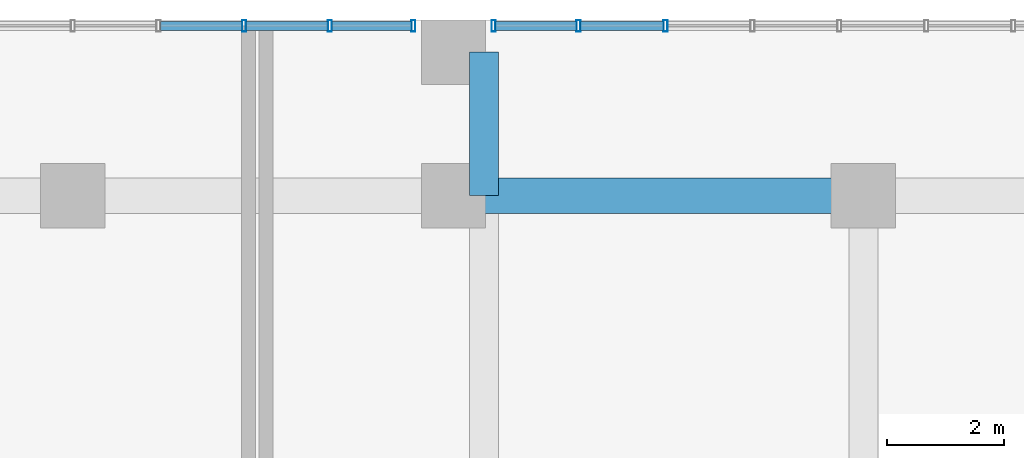
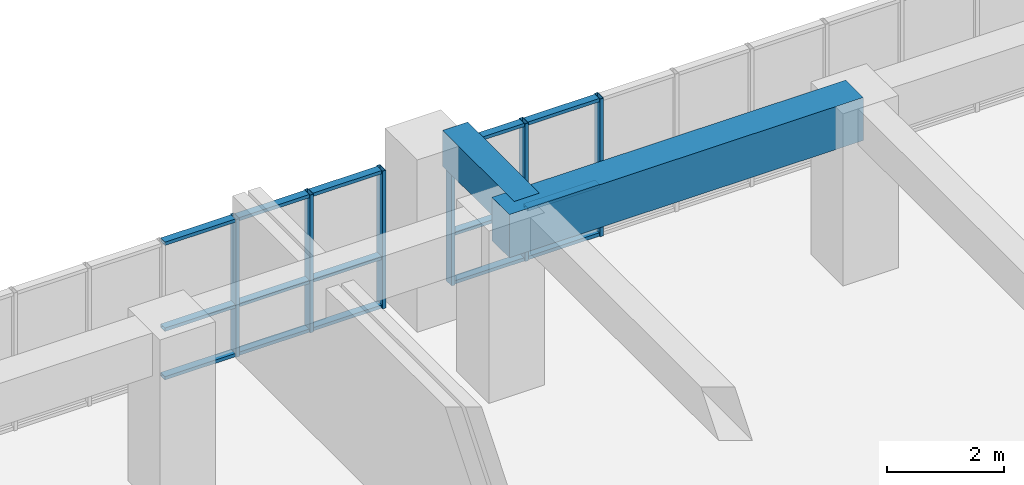
# One storey, part 13 of 30: 21 members, 2 beams, 2 elements without a shape of their own.
"""IFC4 building model written with IfcOpenShell, lengths in metres."""

import ifcopenshell
import ifcopenshell.guid

model = None  # the IFC model being written
_history = None  # IfcOwnerHistory: only IFC2X3 demands one
_inside = {}  # id of a spatial element -> (the spatial element, [elements in it])
_under = {}  # id of a project, library or spatial element -> (it, [spatial elements below it])
_declared = {}  # id of a project -> (the project, [libraries it declares])
_typed = {}  # id of a type object -> (the type object, [elements of that type])
_made_of = {}  # id of a material, layer set ... -> (it, [elements and type objects made of it])


def new_model(schema):
    """Start an empty IFC model of exactly this schema.

    Asked for "IFC4X3", IfcOpenShell would pick the latest addendum, in which some entities
    have other attributes; the version numbers below select the first issue.
    IFC2X3 requires an IfcOwnerHistory on every rooted entity: one is made here for all.
    """
    global model, _history
    if schema == "IFC4X3":
        model = ifcopenshell.file(schema_version=(4, 3, 0, 0))
    else:
        model = ifcopenshell.file(schema=schema)
    _inside.clear()
    _under.clear()
    _declared.clear()
    _typed.clear()
    _made_of.clear()
    _history = None
    if model.schema == "IFC2X3":
        org = make("IfcOrganization", Name="unknown")
        user = make(
            "IfcPersonAndOrganization",
            ThePerson=make("IfcPerson", FamilyName="unknown"),
            TheOrganization=org,
        )
        app = make(
            "IfcApplication",
            ApplicationDeveloper=org,
            Version="unknown",
            ApplicationFullName="unknown",
            ApplicationIdentifier="unknown",
        )
        _history = make(
            "IfcOwnerHistory",
            OwningUser=user,
            OwningApplication=app,
            ChangeAction="ADDED",
            CreationDate=0,
        )
    return model


def make(cls, **values):
    """One entity of the class cls with the attributes given. An attribute that is None is left unset."""
    return model.create_entity(
        cls, **{name: value for name, value in values.items() if value is not None}
    )


def rooted(cls, **values):
    """An entity with a GlobalId (a new one), such as an element, a storey or a relation."""
    return make(cls, GlobalId=ifcopenshell.guid.new(), OwnerHistory=_history, **values)


def si_unit(unit_type, name, prefix=None):
    """IfcSIUnit, for example si_unit("LENGTHUNIT", "METRE", prefix="MILLI")."""
    return make("IfcSIUnit", UnitType=unit_type, Prefix=prefix, Name=name)


def assignment(units):
    """IfcUnitAssignment: the units of a project."""
    return None if units is None else make("IfcUnitAssignment", Units=units)


def point(xyz):
    """IfcCartesianPoint."""
    return None if xyz is None else make("IfcCartesianPoint", Coordinates=xyz)


def direction(xyz):
    """IfcDirection."""
    return None if xyz is None else make("IfcDirection", DirectionRatios=xyz)


def frame(location, z_axis=None, x_axis=None):
    """IfcAxis2Placement3D, a coordinate frame: its origin and axes. An axis left out is left unset."""
    return make(
        "IfcAxis2Placement3D",
        Location=point(location),
        Axis=direction(z_axis),
        RefDirection=direction(x_axis),
    )


def frame_2d(location, x_axis=None):
    """IfcAxis2Placement2D, a coordinate frame in the plane: its origin and x axis."""
    return make(
        "IfcAxis2Placement2D", Location=point(location), RefDirection=direction(x_axis)
    )


def origin():
    """The frame at (0, 0, 0) with its axes left unset."""
    return frame((0.0, 0.0, 0.0))


def origin_2d():
    """The frame at (0, 0) in the plane with its x axis left unset."""
    return frame_2d((0.0, 0.0))


def place(relative_to, where):
    """IfcLocalPlacement: puts the frame where relative to a parent placement (None: the world)."""
    return make(
        "IfcLocalPlacement", PlacementRelTo=relative_to, RelativePlacement=where
    )


def context(
    kind, dimensions, precision=None, world=None, true_north=None, identifier=None
):
    """IfcGeometricRepresentationContext, for example the 3D "Model" context."""
    return make(
        "IfcGeometricRepresentationContext",
        ContextIdentifier=identifier,
        ContextType=kind,
        CoordinateSpaceDimension=dimensions,
        Precision=precision,
        WorldCoordinateSystem=world,
        TrueNorth=true_north,
    )


def subcontext(parent, identifier, kind, view, scale=None):
    """IfcGeometricRepresentationSubContext, for example "Body" below "Model"."""
    return make(
        "IfcGeometricRepresentationSubContext",
        ContextIdentifier=identifier,
        ContextType=kind,
        ParentContext=parent,
        TargetScale=scale,
        TargetView=view,
    )


def project(units=None, contexts=None):
    """IfcProject with its units and contexts."""
    return rooted(
        "IfcProject",
        Name="project",
        RepresentationContexts=contexts,
        UnitsInContext=assignment(units),
    )


def spatial(cls, under=None, at=None, **own):
    """A site, building, storey or space (cls), placed at a placement, below another one or the project."""
    s = rooted(cls, ObjectPlacement=at, **own)
    if under is not None:
        _under.setdefault(under.id(), (under, []))[1].append(s)
    return s


def profile(cls, at=None, kind="AREA", **sizes):
    """A parametric profile (cls). Its sizes go by their IFC names, for example OverallWidth=200.0."""
    return make(cls, ProfileType=kind, Position=at, **sizes)


def rectangle(**sizes):
    """IfcRectangleProfileDef."""
    return profile("IfcRectangleProfileDef", **sizes)


def hollow_rectangle(**sizes):
    """IfcRectangleHollowProfileDef."""
    return profile("IfcRectangleHollowProfileDef", **sizes)


def extrude(swept, where, along, depth):
    """IfcExtrudedAreaSolid: the profile swept, set in the frame where, extruded along a direction by depth."""
    return make(
        "IfcExtrudedAreaSolid",
        SweptArea=swept,
        Position=where,
        ExtrudedDirection=direction(along),
        Depth=depth,
    )


def shape(context_of_items, identifier, shape_type, items):
    """IfcShapeRepresentation: the items that make up one representation, for example the "Body"."""
    return make(
        "IfcShapeRepresentation",
        ContextOfItems=context_of_items,
        RepresentationIdentifier=identifier,
        RepresentationType=shape_type,
        Items=items,
    )


def source(mapping_origin, context_of_items, identifier, shape_type, items):
    """IfcRepresentationMap: a shape defined once, which mapped items show again and again."""
    return make(
        "IfcRepresentationMap",
        MappingOrigin=mapping_origin,
        MappedRepresentation=shape(context_of_items, identifier, shape_type, items),
    )


def transform(
    local_origin,
    x_axis=None,
    y_axis=None,
    z_axis=None,
    scale=None,
    scale2=None,
    scale3=None,
    uniform=True,
):
    """IfcCartesianTransformationOperator3D, or its non-uniform kind. x_axis, y_axis, z_axis: its Axis1, 2, 3."""
    if uniform:
        return make(
            "IfcCartesianTransformationOperator3D",
            Axis1=direction(x_axis),
            Axis2=direction(y_axis),
            LocalOrigin=point(local_origin),
            Scale=scale,
            Axis3=direction(z_axis),
        )
    return make(
        "IfcCartesianTransformationOperator3DnonUniform",
        Axis1=direction(x_axis),
        Axis2=direction(y_axis),
        LocalOrigin=point(local_origin),
        Scale=scale,
        Axis3=direction(z_axis),
        Scale2=scale2,
        Scale3=scale3,
    )


def mapped(mapping_source, mapping_target):
    """IfcMappedItem: shows the shape of a source again, moved by a transform."""
    return make(
        "IfcMappedItem", MappingSource=mapping_source, MappingTarget=mapping_target
    )


def material(Name=None, Category=None):
    """IfcMaterial."""
    return make("IfcMaterial", Name=Name, Category=Category)


def layer(
    of_material, thickness, ventilated=None, Name=None, Category=None, Priority=None
):
    """IfcMaterialLayer: one layer of a wall or slab, of a material (None: an air gap)."""
    return make(
        "IfcMaterialLayer",
        Material=of_material,
        LayerThickness=thickness,
        IsVentilated=ventilated,
        Name=Name,
        Category=Category,
        Priority=Priority,
    )


def layer_set(layers, Name=None):
    """IfcMaterialLayerSet."""
    return make("IfcMaterialLayerSet", MaterialLayers=layers, LayerSetName=Name)


def material_profile(
    of_material, cross_section, Name=None, Category=None, Priority=None
):
    """IfcMaterialProfile: a cross section and its material."""
    return make(
        "IfcMaterialProfile",
        Name=Name,
        Material=of_material,
        Profile=cross_section,
        Priority=Priority,
        Category=Category,
    )


def profile_set(profiles, Name=None, composite=None):
    """IfcMaterialProfileSet."""
    return make(
        "IfcMaterialProfileSet",
        Name=Name,
        MaterialProfiles=profiles,
        CompositeProfile=composite,
    )


def made_of(thing, what):
    """Note that an element or type object is made of a material, layer set ...; save() writes the relation."""
    if what is not None:
        _made_of.setdefault(what.id(), (what, []))[1].append(thing)
    return thing


def type_object(cls, material=None, **own):
    """A type object (cls), such as IfcWallType, which elements share."""
    return made_of(rooted(cls, **own), material)


def element(
    cls,
    number,
    at=None,
    inside=None,
    cuts=None,
    type_object=None,
    material=None,
    context=None,
    identifier="Body",
    shape_type=None,
    held_by="IfcProductDefinitionShape",
    body=None,
    shapes=None,
    **own,
):
    """One element of the class cls, such as IfcWall. Its Tag is "e" and its number.

    at: its placement. inside: the storey or other place that contains it. cuts: it is an
    opening in that element (IfcRelVoidsElement). A single representation is given by context,
    identifier, shape_type and body (its items); several are given by shapes. held_by: the class
    of the entity that holds the representations. save() writes the other relations.
    """
    e = rooted(cls, Tag="e%d" % number, ObjectPlacement=at, **own)
    if body is not None:
        shapes = [shape(context, identifier, shape_type, body)]
    if shapes is not None:
        e.Representation = make(held_by, Representations=shapes)
    if inside is not None:
        _inside.setdefault(inside.id(), (inside, []))[1].append(e)
    if cuts is not None:
        rooted(
            "IfcRelVoidsElement", RelatingBuildingElement=cuts, RelatedOpeningElement=e
        )
    if type_object is not None:
        _typed.setdefault(type_object.id(), (type_object, []))[1].append(e)
    return made_of(e, material)


def aggregate(whole, parts):
    """IfcRelAggregates: a whole, such as a stair, and the parts it consists of."""
    return rooted("IfcRelAggregates", RelatingObject=whole, RelatedObjects=parts)


def save(model, path):
    """Write the relations noted so far, then the file.

    IfcRelAggregates (storeys below a building ...), IfcRelContainedInSpatialStructure (elements
    in a storey), IfcRelDefinesByType, IfcRelAssociatesMaterial and IfcRelDeclares: one each for
    every whole, place, type object, material and project.
    """
    for whole, parts in _under.values():
        aggregate(whole, parts)
    for where, things in _inside.values():
        rooted(
            "IfcRelContainedInSpatialStructure",
            RelatedElements=things,
            RelatingStructure=where,
        )
    for kind, things in _typed.values():
        rooted("IfcRelDefinesByType", RelatedObjects=things, RelatingType=kind)
    for what, things in _made_of.values():
        rooted("IfcRelAssociatesMaterial", RelatedObjects=things, RelatingMaterial=what)
    for by, libraries in _declared.values():
        rooted("IfcRelDeclares", RelatingContext=by, RelatedDefinitions=libraries)
    model.write(path)


model = new_model("IFC4")

# Units and contexts
model_context = context("Model", 3, precision=1e-05, world=origin(), true_north=direction((0.0, 1.0)))
body_context = subcontext(model_context, "Body", "Model", "MODEL_VIEW")
ifc_project = project(units=[si_unit("LENGTHUNIT", "METRE"), si_unit("AREAUNIT", "SQUARE_METRE"), si_unit("VOLUMEUNIT", "CUBIC_METRE"), si_unit("PLANEANGLEUNIT", "RADIAN"), si_unit("MASSUNIT", "GRAM", prefix="KILO")], contexts=[model_context])

# Site, building, storey
site_placement = place(None, origin())
site = spatial("IfcSite", under=ifc_project, at=site_placement, CompositionType="ELEMENT")
building_placement = place(site_placement, origin())
building = spatial("IfcBuilding", under=site, at=building_placement, Name="Saelheon Loggia Tower", CompositionType="ELEMENT")
storey_placement = place(building_placement, frame((0.0, 0.0, 7.800048828125)))
storey = spatial("IfcBuildingStorey", under=building, at=storey_placement, Name="L02", CompositionType="ELEMENT", Elevation=7.800048828125)

# Beams
ifc_material_1 = material(Name="Concrete C50/60", Category="concrete")
ifc_material_profile_1 = material_profile(ifc_material_1, rectangle(XDim=0.60009765625, YDim=0.89990234375, at=origin_2d()), Name="RC-600x900")
ifc_profile_set_1 = profile_set([ifc_material_profile_1], Name="Concrete C50/60")
beam_type_1 = type_object("IfcBeamType", Name="Beam_MainGirder_RC600x900", PredefinedType="BEAM", material=ifc_profile_set_1)
shared_shape_1 = source(origin(), body_context, "Body", "SweptSolid", [
    extrude(rectangle(XDim=0.60009765625, YDim=0.89990234375, at=origin_2d()), origin(), (0.0, 0.0, 1.0), 7.0),
])
beam_1_placement = place(storey_placement, frame((44.5, 51.0, 3.14990234375), z_axis=(1.0, 0.0, 0.0), x_axis=(0.0, 1.0, 0.0)))
element("IfcBeam", 1, at=beam_1_placement, inside=storey, type_object=beam_type_1, Name="BM-L02-EW-51-7", PredefinedType="BEAM", context=body_context, shape_type="MappedRepresentation", body=[
    mapped(shared_shape_1, transform((0.0, 0.0, 0.0), scale=1.0)),
])
ifc_material_2 = material(Name="Concrete C45/55", Category="concrete")
ifc_material_profile_2 = material_profile(ifc_material_2, rectangle(XDim=0.5, YDim=0.75, at=origin_2d()), Name="RC-500x750")
ifc_profile_set_2 = profile_set([ifc_material_profile_2], Name="Concrete C45/55")
beam_type_2 = type_object("IfcBeamType", Name="Beam_FloorGirder_RC500x750", PredefinedType="BEAM", material=ifc_profile_set_2)
shared_shape_2 = source(origin(), body_context, "Body", "SweptSolid", [
    extrude(rectangle(XDim=0.5, YDim=0.75, at=origin_2d()), origin(), (0.0, 0.0, 1.0), 2.449951171875),
])
beam_2_placement = place(storey_placement, frame((45.02001953125, 51.0, 3.224853515625), z_axis=(0.0, 1.0, 0.0), x_axis=(-1.0, 0.0, 0.0)))
element("IfcBeam", 2, at=beam_2_placement, inside=storey, type_object=beam_type_2, Name="BM-L02-NS-45-7", PredefinedType="BEAM", context=body_context, shape_type="MappedRepresentation", body=[
    mapped(shared_shape_2, transform((0.0, 0.0, 0.0), scale=1.0)),
])

# Curtain wall, members
ifc_material_3 = material(Name="Aluminium 6063-T6 and Low-E IGU", Category="aluminium")
ifc_layer = layer(ifc_material_3, 0.179931640625)
ifc_layer_set = layer_set([ifc_layer], Name="Aluminium 6063-T6 and Low-E IGU")
curtain_wall_type = type_object("IfcCurtainWallType", Name="CW_PodiumClinic", PredefinedType="NOTDEFINED", material=ifc_layer_set)
curtain_wall_1_placement = place(storey_placement, origin())
curtain_wall_1 = element("IfcCurtainWall", 3, at=curtain_wall_1_placement, inside=storey, type_object=curtain_wall_type, Name="L02 North Clinic Curtain Wall 3", PredefinedType="NOTDEFINED")
ifc_material_4 = material(Name="Anodised Aluminium 6063-T6", Category="aluminium")
ifc_material_profile_3 = material_profile(ifc_material_4, hollow_rectangle(XDim=0.070068359375, YDim=0.14990234375, WallThickness=0.0048828125, at=origin_2d()), Name="RHS-150x70x5")
ifc_profile_set_3 = profile_set([ifc_material_profile_3], Name="Anodised Aluminium 6063-T6")
member_type_1 = type_object("IfcMemberType", Name="CW_PodiumClinic_Transom", PredefinedType="USERDEFINED", material=ifc_profile_set_3)
shared_shape_3 = source(origin(), body_context, "Body", "SweptSolid", [
    extrude(hollow_rectangle(XDim=0.070068359375, YDim=0.14990234375, WallThickness=0.0048828125, at=origin_2d()), origin(), (0.0, 0.0, 1.0), 1.4150390625),
])
member_1_placement = place(storey_placement, frame((46.669921875, 53.89990234375, 0.034912109375), z_axis=(1.0, 0.0, 0.0), x_axis=(0.0, 0.0, 1.0)))
member_1 = element("IfcMember", 4, at=member_1_placement, type_object=member_type_1, Name="CW1 transom 2.1", ObjectType="TRANSOM", PredefinedType="USERDEFINED", context=body_context, shape_type="MappedRepresentation", body=[
    mapped(shared_shape_3, transform((0.0, 0.0, 0.0), scale=1.0)),
])
member_2_placement = place(storey_placement, frame((46.669921875, 53.89990234375, 1.050048828125), z_axis=(1.0, 0.0, 0.0), x_axis=(0.0, 0.0, 1.0)))
member_2 = element("IfcMember", 5, at=member_2_placement, type_object=member_type_1, Name="CW1 transom 2.2", ObjectType="TRANSOM", PredefinedType="USERDEFINED", context=body_context, shape_type="MappedRepresentation", body=[
    mapped(shared_shape_3, transform((0.0, 0.0, 0.0), scale=1.0)),
])
member_3_placement = place(storey_placement, frame((46.669921875, 53.89990234375, 2.844970703125), z_axis=(1.0, 0.0, 0.0), x_axis=(0.0, 0.0, 1.0)))
member_3 = element("IfcMember", 6, at=member_3_placement, type_object=member_type_1, Name="CW1 transom 2.3", ObjectType="TRANSOM", PredefinedType="USERDEFINED", context=body_context, shape_type="MappedRepresentation", body=[
    mapped(shared_shape_3, transform((0.0, 0.0, 0.0), scale=1.0)),
])
shared_shape_4 = source(origin(), body_context, "Body", "SweptSolid", [
    extrude(hollow_rectangle(XDim=0.070068359375, YDim=0.14990234375, WallThickness=0.0048828125, at=origin_2d()), origin(), (0.0, 0.0, 1.0), 1.380126953125),
])
member_4_placement = place(storey_placement, frame((45.219970703125, 53.89990234375, 0.034912109375), z_axis=(1.0, 0.0, 0.0), x_axis=(0.0, 0.0, 1.0)))
member_4 = element("IfcMember", 7, at=member_4_placement, type_object=member_type_1, Name="CW1 transom 1.1", ObjectType="TRANSOM", PredefinedType="USERDEFINED", context=body_context, shape_type="MappedRepresentation", body=[
    mapped(shared_shape_4, transform((0.0, 0.0, 0.0), scale=1.0)),
])
member_5_placement = place(storey_placement, frame((45.219970703125, 53.89990234375, 1.050048828125), z_axis=(1.0, 0.0, 0.0), x_axis=(0.0, 0.0, 1.0)))
member_5 = element("IfcMember", 8, at=member_5_placement, type_object=member_type_1, Name="CW1 transom 1.2", ObjectType="TRANSOM", PredefinedType="USERDEFINED", context=body_context, shape_type="MappedRepresentation", body=[
    mapped(shared_shape_4, transform((0.0, 0.0, 0.0), scale=1.0)),
])
member_6_placement = place(storey_placement, frame((45.219970703125, 53.89990234375, 2.844970703125), z_axis=(1.0, 0.0, 0.0), x_axis=(0.0, 0.0, 1.0)))
member_6 = element("IfcMember", 9, at=member_6_placement, type_object=member_type_1, Name="CW1 transom 1.3", ObjectType="TRANSOM", PredefinedType="USERDEFINED", context=body_context, shape_type="MappedRepresentation", body=[
    mapped(shared_shape_4, transform((0.0, 0.0, 0.0), scale=1.0)),
])

curtain_wall_2_placement = place(storey_placement, origin())
curtain_wall_2 = element("IfcCurtainWall", 10, at=curtain_wall_2_placement, inside=storey, type_object=curtain_wall_type, Name="L02 North Clinic Curtain Wall 2", PredefinedType="NOTDEFINED")
shared_shape_5 = source(origin(), body_context, "Body", "SweptSolid", [
    extrude(hollow_rectangle(XDim=0.070068359375, YDim=0.14990234375, WallThickness=0.0048828125, at=origin_2d()), origin(), (0.0, 0.0, 1.0), 1.357421875),
])
member_7_placement = place(storey_placement, frame((42.422607421875, 53.89990234375, 0.034912109375), z_axis=(1.0, 0.0, 0.0), x_axis=(0.0, 0.0, 1.0)))
member_7 = element("IfcMember", 11, at=member_7_placement, type_object=member_type_1, Name="CW1 transom 8.1", ObjectType="TRANSOM", PredefinedType="USERDEFINED", context=body_context, shape_type="MappedRepresentation", body=[
    mapped(shared_shape_5, transform((0.0, 0.0, 0.0), scale=1.0)),
])
member_8_placement = place(storey_placement, frame((42.422607421875, 53.89990234375, 1.050048828125), z_axis=(1.0, 0.0, 0.0), x_axis=(0.0, 0.0, 1.0)))
member_8 = element("IfcMember", 12, at=member_8_placement, type_object=member_type_1, Name="CW1 transom 8.2", ObjectType="TRANSOM", PredefinedType="USERDEFINED", context=body_context, shape_type="MappedRepresentation", body=[
    mapped(shared_shape_5, transform((0.0, 0.0, 0.0), scale=1.0)),
])
member_9_placement = place(storey_placement, frame((42.422607421875, 53.89990234375, 2.844970703125), z_axis=(1.0, 0.0, 0.0), x_axis=(0.0, 0.0, 1.0)))
member_9 = element("IfcMember", 13, at=member_9_placement, type_object=member_type_1, Name="CW1 transom 8.3", ObjectType="TRANSOM", PredefinedType="USERDEFINED", context=body_context, shape_type="MappedRepresentation", body=[
    mapped(shared_shape_5, transform((0.0, 0.0, 0.0), scale=1.0)),
])
shared_shape_6 = source(origin(), body_context, "Body", "SweptSolid", [
    extrude(hollow_rectangle(XDim=0.070068359375, YDim=0.14990234375, WallThickness=0.0048828125, at=origin_2d()), origin(), (0.0, 0.0, 1.0), 1.392578125),
])
member_10_placement = place(storey_placement, frame((40.9599609375, 53.89990234375, 0.034912109375), z_axis=(1.0, 0.0, 0.0), x_axis=(0.0, 0.0, 1.0)))
member_10 = element("IfcMember", 14, at=member_10_placement, type_object=member_type_1, Name="CW1 transom 7.1", ObjectType="TRANSOM", PredefinedType="USERDEFINED", context=body_context, shape_type="MappedRepresentation", body=[
    mapped(shared_shape_6, transform((0.0, 0.0, 0.0), scale=1.0)),
])
member_11_placement = place(storey_placement, frame((40.9599609375, 53.89990234375, 1.050048828125), z_axis=(1.0, 0.0, 0.0), x_axis=(0.0, 0.0, 1.0)))
member_11 = element("IfcMember", 15, at=member_11_placement, type_object=member_type_1, Name="CW1 transom 7.2", ObjectType="TRANSOM", PredefinedType="USERDEFINED", context=body_context, shape_type="MappedRepresentation", body=[
    mapped(shared_shape_6, transform((0.0, 0.0, 0.0), scale=1.0)),
])
member_12_placement = place(storey_placement, frame((40.9599609375, 53.89990234375, 2.844970703125), z_axis=(1.0, 0.0, 0.0), x_axis=(0.0, 0.0, 1.0)))
member_12 = element("IfcMember", 16, at=member_12_placement, type_object=member_type_1, Name="CW1 transom 7.3", ObjectType="TRANSOM", PredefinedType="USERDEFINED", context=body_context, shape_type="MappedRepresentation", body=[
    mapped(shared_shape_6, transform((0.0, 0.0, 0.0), scale=1.0)),
])
shared_shape_7 = source(origin(), body_context, "Body", "SweptSolid", [
    extrude(hollow_rectangle(XDim=0.070068359375, YDim=0.14990234375, WallThickness=0.0048828125, at=origin_2d()), origin(), (0.0, 0.0, 1.0), 1.392333984375),
])
member_13_placement = place(storey_placement, frame((39.49755859375, 53.89990234375, 0.034912109375), z_axis=(1.0, 0.0, 0.0), x_axis=(0.0, 0.0, 1.0)))
member_13 = element("IfcMember", 17, at=member_13_placement, type_object=member_type_1, Name="CW1 transom 6.1", ObjectType="TRANSOM", PredefinedType="USERDEFINED", context=body_context, shape_type="MappedRepresentation", body=[
    mapped(shared_shape_7, transform((0.0, 0.0, 0.0), scale=1.0)),
])
member_14_placement = place(storey_placement, frame((39.49755859375, 53.89990234375, 1.050048828125), z_axis=(1.0, 0.0, 0.0), x_axis=(0.0, 0.0, 1.0)))
member_14 = element("IfcMember", 18, at=member_14_placement, type_object=member_type_1, Name="CW1 transom 6.2", ObjectType="TRANSOM", PredefinedType="USERDEFINED", context=body_context, shape_type="MappedRepresentation", body=[
    mapped(shared_shape_7, transform((0.0, 0.0, 0.0), scale=1.0)),
])
member_15_placement = place(storey_placement, frame((39.49755859375, 53.89990234375, 2.844970703125), z_axis=(1.0, 0.0, 0.0), x_axis=(0.0, 0.0, 1.0)))
member_15 = element("IfcMember", 19, at=member_15_placement, type_object=member_type_1, Name="CW1 transom 6.3", ObjectType="TRANSOM", PredefinedType="USERDEFINED", context=body_context, shape_type="MappedRepresentation", body=[
    mapped(shared_shape_7, transform((0.0, 0.0, 0.0), scale=1.0)),
])
ifc_material_profile_4 = material_profile(ifc_material_4, hollow_rectangle(XDim=0.070068359375, YDim=0.199951171875, WallThickness=0.0048828125, at=origin_2d()), Name="RHS-200x70x5")
ifc_profile_set_4 = profile_set([ifc_material_profile_4], Name="Anodised Aluminium 6063-T6")
member_type_2 = type_object("IfcMemberType", Name="CW_PodiumClinic_Mullion", PredefinedType="MULLION", material=ifc_profile_set_4)
shared_shape_8 = source(origin(), body_context, "Body", "SweptSolid", [
    extrude(hollow_rectangle(XDim=0.070068359375, YDim=0.199951171875, WallThickness=0.0048828125, at=origin_2d()), origin(), (0.0, 0.0, 1.0), 2.8798828125),
])
member_16_placement = place(storey_placement, frame((40.925048828125, 53.89990234375, 0.0), z_axis=(0.0, 0.0, 1.0), x_axis=(1.0, 0.0, 0.0)))
member_16 = element("IfcMember", 20, at=member_16_placement, type_object=member_type_2, Name="CW1 mullion 7", PredefinedType="MULLION", context=body_context, shape_type="MappedRepresentation", body=[
    mapped(shared_shape_8, transform((0.0, 0.0, 0.0), scale=1.0)),
])
member_17_placement = place(storey_placement, frame((42.387451171875, 53.89990234375, 0.0), z_axis=(0.0, 0.0, 1.0), x_axis=(1.0, 0.0, 0.0)))
member_17 = element("IfcMember", 21, at=member_17_placement, type_object=member_type_2, Name="CW1 mullion 8", PredefinedType="MULLION", context=body_context, shape_type="MappedRepresentation", body=[
    mapped(shared_shape_8, transform((0.0, 0.0, 0.0), scale=1.0)),
])
member_18_placement = place(storey_placement, frame((43.81494140625, 53.89990234375, 0.0), z_axis=(0.0, 0.0, 1.0), x_axis=(1.0, 0.0, 0.0)))
member_18 = element("IfcMember", 22, at=member_18_placement, type_object=member_type_2, Name="CW1 mullion 9", PredefinedType="MULLION", context=body_context, shape_type="MappedRepresentation", body=[
    mapped(shared_shape_8, transform((0.0, 0.0, 0.0), scale=1.0)),
])
aggregate(curtain_wall_2, [member_16, member_17, member_18, member_13, member_14, member_15, member_10, member_11, member_12, member_7, member_8, member_9])

# Member
member_19_placement = place(storey_placement, frame((45.18505859375, 53.89990234375, 0.0), z_axis=(0.0, 0.0, 1.0), x_axis=(1.0, 0.0, 0.0)))
member_19 = element("IfcMember", 23, at=member_19_placement, type_object=member_type_2, Name="CW1 mullion 1", PredefinedType="MULLION", context=body_context, shape_type="MappedRepresentation", body=[
    mapped(shared_shape_8, transform((0.0, 0.0, 0.0), scale=1.0)),
])

member_20_placement = place(storey_placement, frame((46.635009765625, 53.89990234375, 0.0), z_axis=(0.0, 0.0, 1.0), x_axis=(1.0, 0.0, 0.0)))
member_20 = element("IfcMember", 24, at=member_20_placement, type_object=member_type_2, Name="CW1 mullion 2", PredefinedType="MULLION", context=body_context, shape_type="MappedRepresentation", body=[
    mapped(shared_shape_8, transform((0.0, 0.0, 0.0), scale=1.0)),
])

member_21_placement = place(storey_placement, frame((48.1201171875, 53.89990234375, 0.0), z_axis=(0.0, 0.0, 1.0), x_axis=(1.0, 0.0, 0.0)))
member_21 = element("IfcMember", 25, at=member_21_placement, type_object=member_type_2, Name="CW1 mullion 3", PredefinedType="MULLION", context=body_context, shape_type="MappedRepresentation", body=[
    mapped(shared_shape_8, transform((0.0, 0.0, 0.0), scale=1.0)),
])

aggregate(curtain_wall_1, [member_19, member_20, member_21, member_4, member_5, member_6, member_1, member_2, member_3])

save(model, "model.ifc")
